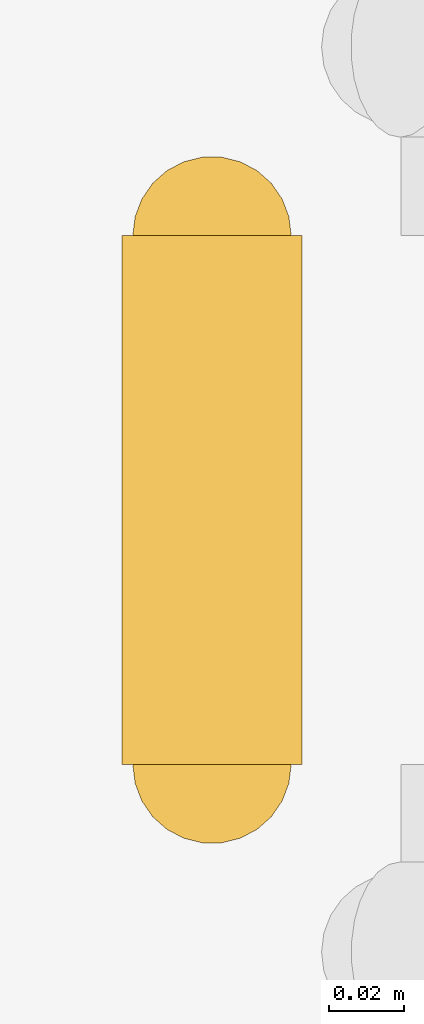
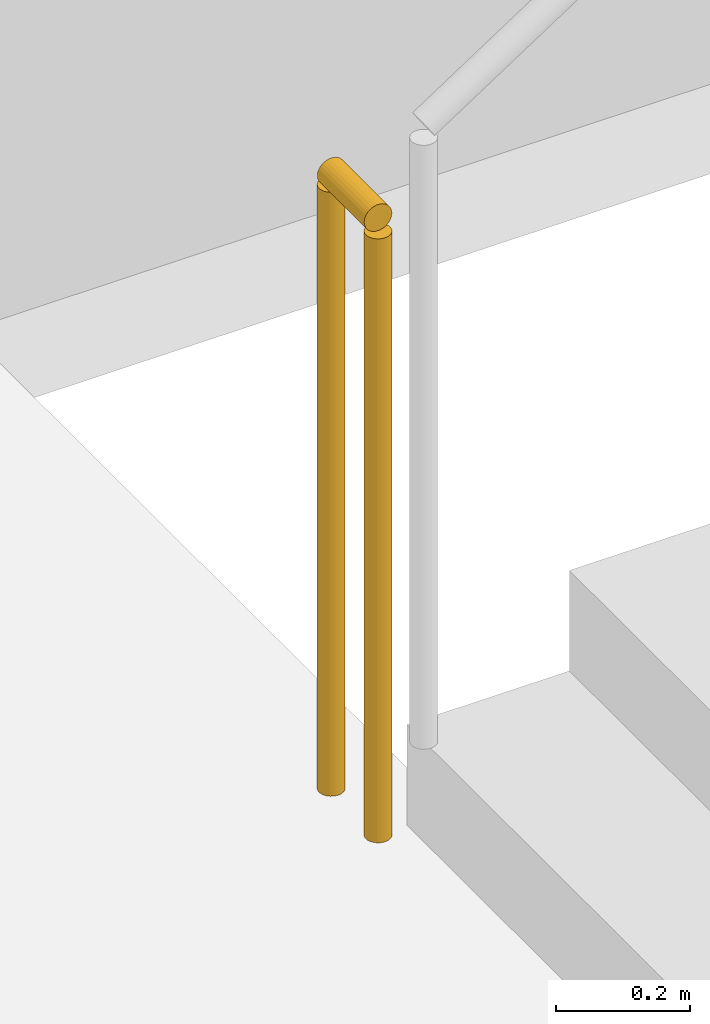
# One storey, part 22 of 27: 1 railing.
"""IFC4 building model written with IfcOpenShell, lengths in metres."""

from ifc_helpers import new_model, si_unit, direction, frame, origin, origin_2d, place, context, subcontext, project, spatial, circle, extrude, material, type_object, element, save


model = new_model("IFC4")

# Units and contexts
model_context = context("Model", 3, precision=1e-05, world=origin(), true_north=direction((0.0, 1.0)))
body_context = subcontext(model_context, "Body", "Model", "MODEL_VIEW")
ifc_project = project(units=[si_unit("LENGTHUNIT", "METRE"), si_unit("AREAUNIT", "SQUARE_METRE"), si_unit("VOLUMEUNIT", "CUBIC_METRE"), si_unit("PLANEANGLEUNIT", "RADIAN"), si_unit("MASSUNIT", "GRAM", prefix="KILO")], contexts=[model_context])

# Site, building, storey
site_placement = place(None, origin())
site = spatial("IfcSite", under=ifc_project, at=site_placement, CompositionType="ELEMENT")
building_placement = place(site_placement, origin())
building = spatial("IfcBuilding", under=site, at=building_placement, Name="Mirazonda Arch Towers", CompositionType="ELEMENT")
storey_placement = place(building_placement, frame((0.0, 0.0, 75.199951171875)))
storey = spatial("IfcBuildingStorey", under=building, at=storey_placement, Name="L21", CompositionType="ELEMENT", Elevation=75.199951171875)

# Railing
ifc_material = material(Name="Architectural Brushed Steel S355", Category="steel")
railing_type = type_object("IfcRailingType", Name="GUARD-STAIR-1120", PredefinedType="GUARDRAIL", material=ifc_material)
railing_placement = place(storey_placement, frame((13.800048828125, 14.64990234375, 0.0)))
element("IfcRailing", 1, at=railing_placement, inside=storey, type_object=railing_type, Name="L21 ST-T1S stair guard 4", PredefinedType="GUARDRAIL", context=body_context, shape_type="SweptSolid", body=[
    extrude(circle(Radius=0.02392578125, at=origin_2d()), frame((0.0, 0.0, 1.1259765625), z_axis=(0.0, 1.0, 0.0), x_axis=(-1.0, 0.0, 0.0)), (0.0, 0.0, 1.0), 0.14013671875),
    extrude(circle(Radius=0.02099609375, at=origin_2d()), origin(), (0.0, 0.0, 1.0), 1.101806640625),
    extrude(circle(Radius=0.02099609375, at=origin_2d()), frame((0.0, 0.14013671875, 0.0)), (0.0, 0.0, 1.0), 1.101806640625),
])

save(model, "model.ifc")
